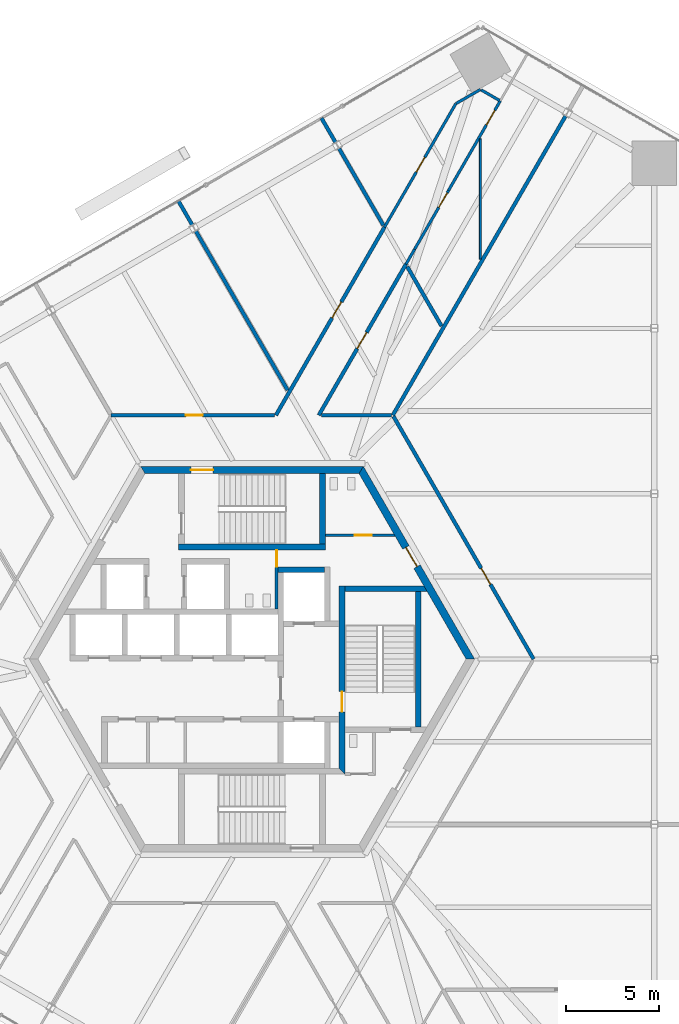
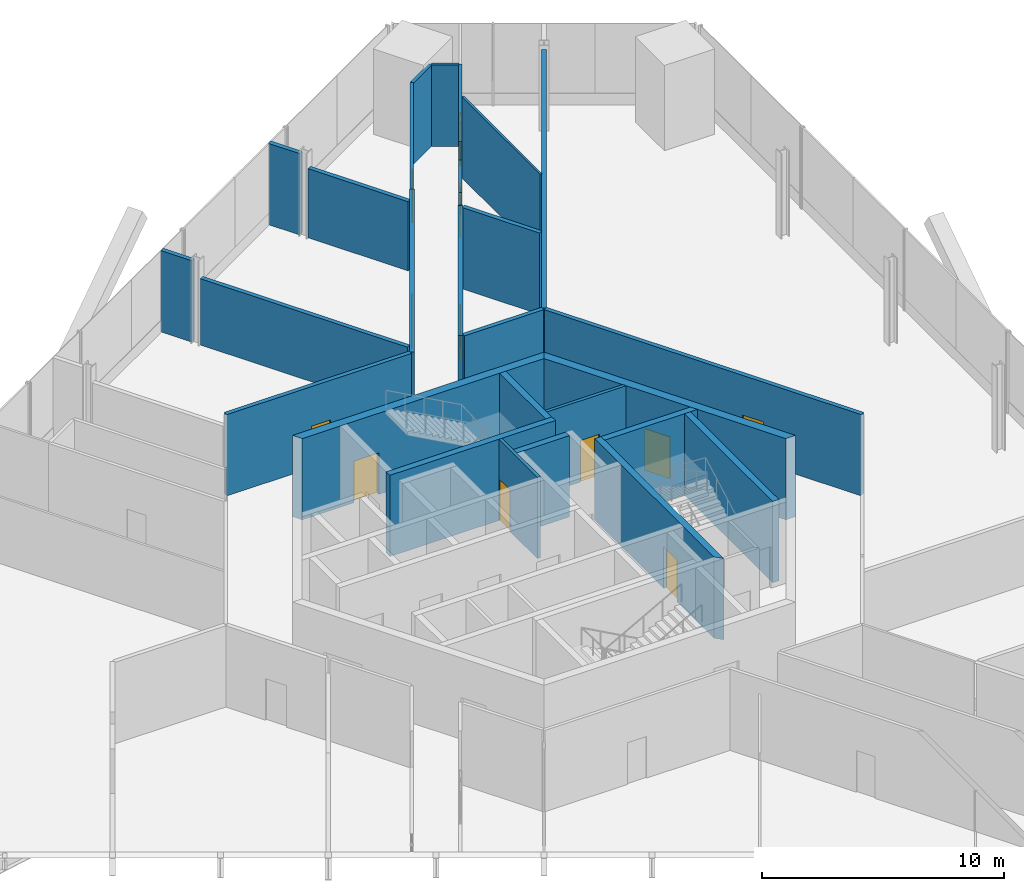
# One storey, part 13 of 16: 28 walls, 12 doors, 12 openings.
"""IFC4 building model written with IfcOpenShell, lengths in metres."""

from ifc_helpers import new_model, si_unit, direction, frame, frame_2d, origin, place, context, subcontext, project, spatial, polyline, rectangle, outline, extrude, source, transform, mapped, material, layer, layer_set, type_object, element, fill, save


model = new_model("IFC4")

# Units and contexts
model_context = context("Model", 3, precision=1e-05, world=origin(), true_north=direction((0.0, 1.0)))
body_context = subcontext(model_context, "Body", "Model", "MODEL_VIEW")
ifc_project = project(units=[si_unit("LENGTHUNIT", "METRE"), si_unit("AREAUNIT", "SQUARE_METRE"), si_unit("VOLUMEUNIT", "CUBIC_METRE"), si_unit("PLANEANGLEUNIT", "RADIAN"), si_unit("MASSUNIT", "GRAM", prefix="KILO")], contexts=[model_context])

# Site, building, storey
site_placement = place(None, origin())
site = spatial("IfcSite", under=ifc_project, at=site_placement, CompositionType="ELEMENT")
building_placement = place(site_placement, origin())
building = spatial("IfcBuilding", under=site, at=building_placement, Name="Triune Harvest Tower", CompositionType="ELEMENT")
storey_placement = place(building_placement, frame((0.0, 0.0, 37.5)))
storey = spatial("IfcBuildingStorey", under=building, at=storey_placement, Name="L08", CompositionType="ELEMENT", Elevation=37.5)

# Wall
ifc_material_1 = material(Name="Gypsum board on steel studs", Category="steel")
ifc_layer_1 = layer(ifc_material_1, 0.14990234375)
ifc_layer_set_1 = layer_set([ifc_layer_1], Name="Gypsum board on steel studs")
wall_type_1 = type_object("IfcWallType", Name="Fire Partition 150 mm", PredefinedType="PARTITIONING", material=ifc_layer_set_1)
wall_1_placement = place(storey_placement, frame((8.29541015625, 21.27783203125, 0.0), z_axis=(0.0, 0.0, 1.0), x_axis=(0.500002371706, 0.866024034475, 0.0)))
element("IfcWall", 1, at=wall_1_placement, inside=storey, type_object=wall_type_1, Name="Partition L08 052", PredefinedType="PARTITIONING", context=body_context, shape_type="SweptSolid", body=[
    extrude(rectangle(XDim=0.93115234375, YDim=0.14990234375, at=frame_2d((0.465576171875, 0.0))), origin(), (0.0, 0.0, 1.0), 4.10009765625),
])

# Wall, opening, door
wall_2_placement = place(storey_placement, frame((8.760986328125, 22.084228515625, 0.0), z_axis=(0.0, 0.0, 1.0), x_axis=(0.499985736139, 0.866033638872, 0.0)))
wall_2 = element("IfcWall", 2, at=wall_2_placement, inside=storey, type_object=wall_type_1, Name="Partition L08 052a", PredefinedType="PARTITIONING", context=body_context, shape_type="SweptSolid", body=[
    extrude(rectangle(XDim=3.66552734375, YDim=0.14990234375, at=frame_2d((1.832763671875, 0.0))), origin(), (0.0, 0.0, 1.0), 3.15771484375),
])
opening_1_placement = place(wall_2_placement, frame((2.615478515625, 0.0, 0.0)))
opening_1 = element("IfcOpeningElement", 3, at=opening_1_placement, cuts=wall_2, Name="Opening L08-006", PredefinedType="OPENING", context=body_context, shape_type="SweptSolid", body=[
    extrude(rectangle(XDim=0.89990234375, YDim=2.10009765625, at=frame_2d((0.449951171875, 1.050048828125))), frame((0.0, 0.0849609375, 0.0), z_axis=(0.0, -1.0, 0.0), x_axis=(1.0, 0.0, 0.0)), (0.0, 0.0, 1.0), 0.169921875),
])
ifc_material_2 = material(Name="Timber and steel door set", Category="steel")
door_type_1 = type_object("IfcDoorType", Name="Single leaf door FD30 right hand 900 x 2100", OperationType="SINGLE_SWING_RIGHT", PredefinedType="DOOR", material=ifc_material_2)
door_1_placement = place(opening_1_placement, origin())
door_1 = element("IfcDoor", 4, at=door_1_placement, inside=storey, type_object=door_type_1, Name="Door L08-006 Packing Room 08.06", OperationType="SINGLE_SWING_RIGHT", OverallHeight=2.10009765625, OverallWidth=0.89990234375, PredefinedType="DOOR", context=body_context, shape_type="SweptSolid", body=[
    extrude(rectangle(XDim=0.89990234375, YDim=2.10009765625, at=frame_2d((0.449951171875, 1.050048828125))), frame((0.0, 0.02490234375, 0.0), z_axis=(0.0, -1.0, 0.0), x_axis=(1.0, 0.0, 0.0)), (0.0, 0.0, 1.0), 0.050048828125),
])
fill(opening_1, door_1)

wall_3_placement = place(storey_placement, frame((10.59375, 25.2587890625, 0.0), z_axis=(0.0, 0.0, 1.0), x_axis=(0.500002112793, 0.866024183959, 0.0)))
wall_3 = element("IfcWall", 5, at=wall_3_placement, inside=storey, type_object=wall_type_1, Name="Partition L08 052b", PredefinedType="PARTITIONING", context=body_context, shape_type="SweptSolid", body=[
    extrude(rectangle(XDim=5.56689453125, YDim=0.14990234375, at=frame_2d((2.783447265625, 0.0))), origin(), (0.0, 0.0, 1.0), 4.10009765625),
])
opening_2_placement = place(wall_3_placement, frame((4.080810546875, 0.0, 0.0)))
opening_2 = element("IfcOpeningElement", 6, at=opening_2_placement, cuts=wall_3, Name="Opening L08-004", PredefinedType="OPENING", context=body_context, shape_type="SweptSolid", body=[
    extrude(rectangle(XDim=0.89990234375, YDim=2.10009765625, at=frame_2d((0.449951171875, 1.050048828125))), frame((0.0, 0.0849609375, 0.0), z_axis=(0.0, -1.0, 0.0), x_axis=(1.0, 0.0, 0.0)), (0.0, 0.0, 1.0), 0.169921875),
])
ifc_material_3 = material(Name="Timber and steel door set", Category="steel")
door_type_2 = type_object("IfcDoorType", Name="Single leaf door FD30 left hand 900 x 2100", OperationType="SINGLE_SWING_LEFT", PredefinedType="DOOR", material=ifc_material_3)
door_2_placement = place(opening_2_placement, origin())
door_2 = element("IfcDoor", 7, at=door_2_placement, inside=storey, type_object=door_type_2, Name="Door L08-004 Packing Room 08.04", OperationType="SINGLE_SWING_LEFT", OverallHeight=2.10009765625, OverallWidth=0.89990234375, PredefinedType="DOOR", context=body_context, shape_type="SweptSolid", body=[
    extrude(rectangle(XDim=0.89990234375, YDim=2.10009765625, at=frame_2d((0.449951171875, 1.050048828125))), frame((0.0, 0.02490234375, 0.0), z_axis=(0.0, -1.0, 0.0), x_axis=(1.0, 0.0, 0.0)), (0.0, 0.0, 1.0), 0.050048828125),
])
fill(opening_2, door_2)

wall_4_placement = place(storey_placement, frame((7.140625, 23.278076171875, 0.0), z_axis=(0.0, 0.0, 1.0), x_axis=(0.500012266612, 0.866018321537, 0.0)))
wall_4 = element("IfcWall", 8, at=wall_4_placement, inside=storey, type_object=wall_type_1, Name="Partition L08 056", PredefinedType="PARTITIONING", context=body_context, shape_type="SweptSolid", body=[
    extrude(rectangle(XDim=7.680908203125, YDim=0.14990234375, at=frame_2d((3.84033203125, 0.0))), origin(), (0.0, 0.0, 1.0), 4.10009765625),
])
opening_3_placement = place(wall_4_placement, frame((3.43310546875, 0.0, 0.0)))
opening_3 = element("IfcOpeningElement", 9, at=opening_3_placement, cuts=wall_4, Name="Opening L08-005", PredefinedType="OPENING", context=body_context, shape_type="SweptSolid", body=[
    extrude(rectangle(XDim=0.89990234375, YDim=2.10009765625, at=frame_2d((0.449951171875, 1.050048828125))), frame((0.0, 0.0849609375, 0.0), z_axis=(0.0, -1.0, 0.0), x_axis=(1.0, 0.0, 0.0)), (0.0, 0.0, 1.0), 0.169921875),
])
door_3_placement = place(opening_3_placement, origin())
door_3 = element("IfcDoor", 10, at=door_3_placement, inside=storey, type_object=door_type_1, Name="Door L08-005 Packing Room 08.05", OperationType="SINGLE_SWING_RIGHT", OverallHeight=2.10009765625, OverallWidth=0.89990234375, PredefinedType="DOOR", context=body_context, shape_type="SweptSolid", body=[
    extrude(rectangle(XDim=0.89990234375, YDim=2.10009765625, at=frame_2d((0.449951171875, 1.050048828125))), frame((0.0, 0.02490234375, 0.0), z_axis=(0.0, -1.0, 0.0), x_axis=(1.0, 0.0, 0.0)), (0.0, 0.0, 1.0), 0.050048828125),
])
fill(opening_3, door_3)

ifc_material_4 = material(Name="Gypsum board on steel studs", Category="steel")
ifc_layer_2 = layer(ifc_material_4, 0.199951171875)
ifc_layer_set_2 = layer_set([ifc_layer_2], Name="Gypsum board on steel studs")
wall_type_2 = type_object("IfcWallType", Name="Fire Wall 200 mm", PredefinedType="PARTITIONING", material=ifc_layer_set_2)
wall_5_placement = place(storey_placement, frame((7.622802734375, 13.081787109375, 0.0), z_axis=(0.0, 0.0, 1.0), x_axis=(0.499985944963, -0.866033518312, 0.0)))
wall_5 = element("IfcWall", 11, at=wall_5_placement, inside=storey, type_object=wall_type_2, Name="Partition L08 019", PredefinedType="PARTITIONING", context=body_context, shape_type="SweptSolid", body=[
    extrude(rectangle(XDim=15.10546875, YDim=0.199951171875, at=frame_2d((7.552734375, 0.0))), origin(), (0.0, 0.0, 1.0), 4.10009765625),
])
opening_4_placement = place(wall_5_placement, frame((9.455322265625, 0.0, 0.0)))
opening_4 = element("IfcOpeningElement", 12, at=opening_4_placement, cuts=wall_5, Name="Opening L08-003", PredefinedType="OPENING", context=body_context, shape_type="SweptSolid", body=[
    extrude(rectangle(XDim=1.0, YDim=2.10009765625, at=frame_2d((0.5, 1.050048828125))), frame((0.0, 0.10986328125, 0.0), z_axis=(0.0, -1.0, 0.0), x_axis=(1.0, 0.0, 0.0)), (0.0, 0.0, 1.0), 0.219970703125),
])
ifc_material_5 = material(Name="Timber and steel door set", Category="steel")
door_type_3 = type_object("IfcDoorType", Name="Wide single leaf door FD60 right hand 1000 x 2100", OperationType="SINGLE_SWING_RIGHT", PredefinedType="DOOR", material=ifc_material_5)
door_4_placement = place(opening_4_placement, origin())
door_4 = element("IfcDoor", 13, at=door_4_placement, inside=storey, type_object=door_type_3, Name="Door L08-003 Strawberry Growing Room 08.03", OperationType="SINGLE_SWING_RIGHT", OverallHeight=2.10009765625, OverallWidth=1.0, PredefinedType="DOOR", context=body_context, shape_type="SweptSolid", body=[
    extrude(rectangle(XDim=1.0, YDim=2.10009765625, at=frame_2d((0.5, 1.050048828125))), frame((0.0, 0.02490234375, 0.0), z_axis=(0.0, -1.0, 0.0), x_axis=(1.0, 0.0, 0.0)), (0.0, 0.0, 1.0), 0.050048828125),
])
fill(opening_4, door_4)

# Walls
wall_6_placement = place(storey_placement, frame((3.74658203125, 29.150390625, 0.0), z_axis=(0.0, 0.0, 1.0), x_axis=(0.500027927039, -0.866009279501, 0.0)))
element("IfcWall", 14, at=wall_6_placement, inside=storey, type_object=wall_type_2, Name="Partition L08 020", PredefinedType="PARTITIONING", context=body_context, shape_type="SweptSolid", body=[
    extrude(rectangle(XDim=1.4990234375, YDim=0.199951171875, at=frame_2d((0.74951171875, 0.0))), origin(), (0.0, 0.0, 1.0), 4.10009765625),
])
wall_7_placement = place(storey_placement, frame((8.36865234375, 21.14501953125, 0.0), z_axis=(0.0, 0.0, 1.0), x_axis=(0.499982117899, -0.866035727774, 0.0)))
element("IfcWall", 15, at=wall_7_placement, inside=storey, type_object=wall_type_2, Name="Partition L08 022", PredefinedType="PARTITIONING", context=body_context, shape_type="SweptSolid", body=[
    extrude(rectangle(XDim=3.689697265625, YDim=0.199951171875, at=frame_2d((1.8447265625, 0.0))), origin(), (0.0, 0.0, 1.0), 4.10009765625),
])

# Wall, opening, door
wall_8_placement = place(storey_placement, frame((-7.587646484375, 13.142333984375, 0.0), z_axis=(0.0, 0.0, 1.0), x_axis=(1.0, 0.0, 0.0)))
wall_8 = element("IfcWall", 16, at=wall_8_placement, inside=storey, type_object=wall_type_2, Name="Partition L08 033", PredefinedType="PARTITIONING", context=body_context, shape_type="SweptSolid", body=[
    extrude(rectangle(XDim=8.806640625, YDim=0.199951171875, at=frame_2d((4.4033203125, 0.0))), origin(), (0.0, 0.0, 1.0), 4.10009765625),
])
opening_5_placement = place(wall_8_placement, frame((4.026611328125, 0.0, 0.0)))
opening_5 = element("IfcOpeningElement", 17, at=opening_5_placement, cuts=wall_8, Name="Opening L08-009", PredefinedType="OPENING", context=body_context, shape_type="SweptSolid", body=[
    extrude(rectangle(XDim=0.89990234375, YDim=2.10009765625, at=frame_2d((0.449951171875, 1.050048828125))), frame((0.0, 0.10986328125, 0.0), z_axis=(0.0, -1.0, 0.0), x_axis=(1.0, 0.0, 0.0)), (0.0, 0.0, 1.0), 0.219970703125),
])
ifc_material_6 = material(Name="Timber and steel door set", Category="steel")
door_type_4 = type_object("IfcDoorType", Name="Single leaf door FD60 right hand 900 x 2100", OperationType="SINGLE_SWING_RIGHT", PredefinedType="DOOR", material=ifc_material_6)
door_5_placement = place(opening_5_placement, origin())
door_5 = element("IfcDoor", 18, at=door_5_placement, inside=storey, type_object=door_type_4, Name="Door L08-009 Chiller Room 08.09", OperationType="SINGLE_SWING_RIGHT", OverallHeight=2.10009765625, OverallWidth=0.89990234375, PredefinedType="DOOR", context=body_context, shape_type="SweptSolid", body=[
    extrude(rectangle(XDim=0.89990234375, YDim=2.10009765625, at=frame_2d((0.449951171875, 1.050048828125))), frame((0.0, 0.02490234375, 0.0), z_axis=(0.0, -1.0, 0.0), x_axis=(1.0, 0.0, 0.0)), (0.0, 0.0, 1.0), 0.050048828125),
])
fill(opening_5, door_5)

# Walls
wall_9_placement = place(storey_placement, frame((3.748291015625, 13.142333984375, 0.0), z_axis=(0.0, 0.0, 1.0), x_axis=(1.0, 0.0, 0.0)))
element("IfcWall", 19, at=wall_9_placement, inside=storey, type_object=wall_type_2, Name="Partition L08 034", PredefinedType="PARTITIONING", context=body_context, shape_type="SweptSolid", body=[
    extrude(rectangle(XDim=3.769287109375, YDim=0.199951171875, at=frame_2d((1.884765625, 0.0))), origin(), (0.0, 0.0, 1.0), 4.10009765625),
])
wall_10_placement = place(storey_placement, frame((7.587646484375, 13.142333984375, 0.0), z_axis=(0.0, 0.0, 1.0), x_axis=(0.500005822324, 0.866022042238, 0.0)))
element("IfcWall", 20, at=wall_10_placement, inside=storey, type_object=wall_type_2, Name="Partition L08 047", PredefinedType="PARTITIONING", context=body_context, shape_type="SweptSolid", body=[
    extrude(rectangle(XDim=18.619873046875, YDim=0.199951171875, at=frame_2d((9.31005859375, 0.0))), origin(), (0.0, 0.0, 1.0), 4.10009765625),
])

# Wall, opening, door
wall_11_placement = place(storey_placement, frame((3.598388671875, 13.14208984375, 0.0), z_axis=(0.0, 0.0, 1.0), x_axis=(0.499987908195, 0.866032384879, 0.0)))
wall_11 = element("IfcWall", 21, at=wall_11_placement, inside=storey, type_object=wall_type_2, Name="Partition L08 051", PredefinedType="PARTITIONING", context=body_context, shape_type="SweptSolid", body=[
    extrude(rectangle(XDim=9.394287109375, YDim=0.199951171875, at=frame_2d((4.697265625, 0.0))), origin(), (0.0, 0.0, 1.0), 4.10009765625),
])
opening_6_placement = place(wall_11_placement, frame((4.150146484375, 0.0, 0.0)))
opening_6 = element("IfcOpeningElement", 22, at=opening_6_placement, cuts=wall_11, Name="Opening L08-008", PredefinedType="OPENING", context=body_context, shape_type="SweptSolid", body=[
    extrude(rectangle(XDim=1.0, YDim=2.10009765625, at=frame_2d((0.5, 1.050048828125))), frame((0.0, 0.10986328125, 0.0), z_axis=(0.0, -1.0, 0.0), x_axis=(1.0, 0.0, 0.0)), (0.0, 0.0, 1.0), 0.219970703125),
])
door_6_placement = place(opening_6_placement, origin())
door_6 = element("IfcDoor", 23, at=door_6_placement, inside=storey, type_object=door_type_3, Name="Door L08-008 Strawberry Growing Room 08.08", OperationType="SINGLE_SWING_RIGHT", OverallHeight=2.10009765625, OverallWidth=1.0, PredefinedType="DOOR", context=body_context, shape_type="SweptSolid", body=[
    extrude(rectangle(XDim=1.0, YDim=2.10009765625, at=frame_2d((0.5, 1.050048828125))), frame((0.0, 0.02490234375, 0.0), z_axis=(0.0, -1.0, 0.0), x_axis=(1.0, 0.0, 0.0)), (0.0, 0.0, 1.0), 0.050048828125),
])
fill(opening_6, door_6)

wall_12_placement = place(storey_placement, frame((1.288818359375, 13.142333984375, 0.0), z_axis=(0.0, 0.0, 1.0), x_axis=(0.499995716753, 0.866027876704, 0.0)))
wall_12 = element("IfcWall", 24, at=wall_12_placement, inside=storey, type_object=wall_type_2, Name="Partition L08 055", PredefinedType="PARTITIONING", context=body_context, shape_type="SweptSolid", body=[
    extrude(rectangle(XDim=11.70361328125, YDim=0.199951171875, at=frame_2d((5.851806640625, 0.0))), origin(), (0.0, 0.0, 1.0), 4.10009765625),
])
opening_7_placement = place(wall_12_placement, frame((6.05029296875, 0.0, 0.0)))
opening_7 = element("IfcOpeningElement", 25, at=opening_7_placement, cuts=wall_12, Name="Opening L08-007", PredefinedType="OPENING", context=body_context, shape_type="SweptSolid", body=[
    extrude(rectangle(XDim=1.0, YDim=2.10009765625, at=frame_2d((0.5, 1.050048828125))), frame((0.0, 0.10986328125, 0.0), z_axis=(0.0, -1.0, 0.0), x_axis=(1.0, 0.0, 0.0)), (0.0, 0.0, 1.0), 0.219970703125),
])
door_7_placement = place(opening_7_placement, origin())
door_7 = element("IfcDoor", 26, at=door_7_placement, inside=storey, type_object=door_type_3, Name="Door L08-007 Strawberry Growing Room 08.07", OperationType="SINGLE_SWING_RIGHT", OverallHeight=2.10009765625, OverallWidth=1.0, PredefinedType="DOOR", context=body_context, shape_type="SweptSolid", body=[
    extrude(rectangle(XDim=1.0, YDim=2.10009765625, at=frame_2d((0.5, 1.050048828125))), frame((0.0, 0.02490234375, 0.0), z_axis=(0.0, -1.0, 0.0), x_axis=(1.0, 0.0, 0.0)), (0.0, 0.0, 1.0), 0.050048828125),
])
fill(opening_7, door_7)

# Wall
ifc_material_7 = material(Name="Gypsum board on steel studs", Category="steel")
ifc_layer_3 = layer(ifc_material_7, 0.10009765625)
ifc_layer_set_3 = layer_set([ifc_layer_3], Name="Gypsum board on steel studs")
wall_type_3 = type_object("IfcWallType", Name="Partition 100 mm", PredefinedType="PARTITIONING", material=ifc_layer_set_3)
wall_13_placement = place(storey_placement, frame((12.30908203125, 21.56005859375, 0.0), z_axis=(0.0, 0.0, 1.0), x_axis=(0.0, 1.0, 0.0)))
element("IfcWall", 27, at=wall_13_placement, inside=storey, type_object=wall_type_3, Name="Partition L08 064", PredefinedType="PARTITIONING", context=body_context, shape_type="SweptSolid", body=[
    extrude(rectangle(XDim=6.479736328125, YDim=0.10009765625, at=frame_2d((3.23974609375, 0.0))), origin(), (0.0, 0.0, 1.0), 4.10009765625),
])

# Wall, opening, door
ifc_material_8 = material(Name="Concrete 70 MPa", Category="concrete")
ifc_layer_4 = layer(ifc_material_8, 0.39990234375)
ifc_layer_set_4 = layer_set([ifc_layer_4], Name="Concrete 70 MPa")
wall_type_4 = type_object("IfcWallType", Name="Core wall 400", PredefinedType="SHEAR", material=ifc_layer_set_4)
shared_shape_1 = source(origin(), body_context, "Body", "SweptSolid", [
    extrude(outline(polyline([(-0.115478515625, -0.199951171875), (11.884521484375, -0.199951171875), (11.653564453125, 0.199951171875), (0.115478515625, 0.199951171875), (-0.115478515625, -0.199951171875)])), origin(), (0.0, 0.0, 1.0), 4.10009765625),
])
wall_14_placement = place(storey_placement, frame((11.76904296875, 0.0, 0.0), z_axis=(0.0, 0.0, 1.0), x_axis=(-0.499996592174, 0.866027371285, 0.0)))
wall_14 = element("IfcWall", 28, at=wall_14_placement, inside=storey, type_object=wall_type_4, Name="Hexagon 0 wall", PredefinedType="SHEAR", context=body_context, shape_type="MappedRepresentation", body=[
    mapped(shared_shape_1, transform((0.0, 0.0, 0.0), scale=1.0)),
])
opening_8_placement = place(wall_14_placement, frame((5.75048828125, 0.0, 0.0)))
opening_8 = element("IfcOpeningElement", 29, at=opening_8_placement, cuts=wall_14, Name="Opening CD-WCP", PredefinedType="OPENING", context=body_context, shape_type="SweptSolid", body=[
    extrude(rectangle(XDim=1.199951171875, YDim=2.10009765625, at=frame_2d((0.60009765625, 1.050048828125))), frame((0.0, 0.2099609375, 0.0), z_axis=(0.0, -1.0, 0.0), x_axis=(1.0, 0.0, 0.0)), (0.0, 0.0, 1.0), 0.419921875),
])
ifc_material_9 = material(Name="Steel S235", Category="steel")
door_type_5 = type_object("IfcDoorType", Name="Lobby door 1200 FD120", OperationType="SINGLE_SWING_LEFT", PredefinedType="DOOR", material=ifc_material_9)
door_8_placement = place(opening_8_placement, frame((1.199951171875, 0.0, 0.0), z_axis=(0.0, 0.0, 1.0), x_axis=(-1.0, 0.0, 0.0)))
door_8 = element("IfcDoor", 30, at=door_8_placement, inside=storey, type_object=door_type_5, Name="Door CD-WCP", OperationType="SINGLE_SWING_RIGHT", OverallHeight=2.10009765625, OverallWidth=1.199951171875, PredefinedType="DOOR", context=body_context, shape_type="SweptSolid", body=[
    extrude(rectangle(XDim=1.199951171875, YDim=2.10009765625, at=frame_2d((0.60009765625, 1.050048828125))), frame((0.0, 0.02490234375, 0.0), z_axis=(0.0, -1.0, 0.0), x_axis=(1.0, 0.0, 0.0)), (0.0, 0.0, 1.0), 0.050048828125),
])
fill(opening_8, door_8)

wall_15_placement = place(storey_placement, frame((5.884521484375, 10.1923828125, 0.0), z_axis=(0.0, 0.0, 1.0), x_axis=(-1.0, 0.0, 0.0)))
wall_15 = element("IfcWall", 31, at=wall_15_placement, inside=storey, type_object=wall_type_4, Name="Hexagon 1 wall", PredefinedType="SHEAR", context=body_context, shape_type="MappedRepresentation", body=[
    mapped(shared_shape_1, transform((0.0, 0.0, 0.0), scale=1.0)),
])
opening_9_placement = place(wall_15_placement, frame((7.984619140625, 0.0, 0.0)))
opening_9 = element("IfcOpeningElement", 32, at=opening_9_placement, cuts=wall_15, Name="Opening CD-S1P", PredefinedType="OPENING", context=body_context, shape_type="SweptSolid", body=[
    extrude(rectangle(XDim=1.199951171875, YDim=2.10009765625, at=frame_2d((0.60009765625, 1.050048828125))), frame((0.0, 0.2099609375, 0.0), z_axis=(0.0, -1.0, 0.0), x_axis=(1.0, 0.0, 0.0)), (0.0, 0.0, 1.0), 0.419921875),
])
ifc_material_10 = material(Name="Steel S235", Category="steel")
door_type_6 = type_object("IfcDoorType", Name="Stair door 1200 FD120", OperationType="SINGLE_SWING_LEFT", PredefinedType="DOOR", material=ifc_material_10)
door_9_placement = place(opening_9_placement, frame((1.199951171875, 0.0, 0.0), z_axis=(0.0, 0.0, 1.0), x_axis=(-1.0, 0.0, 0.0)))
door_9 = element("IfcDoor", 33, at=door_9_placement, inside=storey, type_object=door_type_6, Name="Door CD-S1P", OperationType="SINGLE_SWING_RIGHT", OverallHeight=2.10009765625, OverallWidth=1.199951171875, PredefinedType="DOOR", context=body_context, shape_type="SweptSolid", body=[
    extrude(rectangle(XDim=1.199951171875, YDim=2.10009765625, at=frame_2d((0.60009765625, 1.050048828125))), frame((0.0, 0.02490234375, 0.0), z_axis=(0.0, -1.0, 0.0), x_axis=(1.0, 0.0, 0.0)), (0.0, 0.0, 1.0), 0.050048828125),
])
fill(opening_9, door_9)

# Wall
ifc_material_11 = material(Name="Concrete 70 MPa", Category="concrete")
ifc_layer_5 = layer(ifc_material_11, 0.300048828125)
ifc_layer_set_5 = layer_set([ifc_layer_5], Name="Concrete 70 MPa")
wall_type_5 = type_object("IfcWallType", Name="Core wall 300", PredefinedType="SHEAR", material=ifc_layer_set_5)
shared_shape_2 = source(origin(), body_context, "Body", "SweptSolid", [
    extrude(rectangle(XDim=2.5, YDim=0.300048828125, at=frame_2d((1.25, 0.0))), origin(), (0.0, 0.0, 1.0), 4.10009765625),
])
wall_16_placement = place(storey_placement, frame((1.39990234375, 4.81005859375, 0.0), z_axis=(0.0, 0.0, 1.0), x_axis=(1.0, 0.0, 0.0)))
element("IfcWall", 34, at=wall_16_placement, inside=storey, type_object=wall_type_5, Name="Ff1 back wall", PredefinedType="SHEAR", context=body_context, shape_type="MappedRepresentation", body=[
    mapped(shared_shape_2, transform((0.0, 0.0, 0.0), scale=1.0)),
])

# Wall, opening, door
shared_shape_3 = source(origin(), body_context, "Body", "SweptSolid", [
    extrude(outline(polyline([(-0.14990234375, -0.14990234375), (9.989990234375, -0.14990234375), (9.989990234375, 0.14990234375), (0.14990234375, 0.14990234375), (-0.14990234375, -0.14990234375)])), origin(), (0.0, 0.0, 1.0), 4.10009765625),
])
wall_17_placement = place(storey_placement, frame((4.85009765625, -6.0400390625, 0.0), z_axis=(0.0, 0.0, 1.0), x_axis=(0.0, 1.0, 0.0)))
wall_17 = element("IfcWall", 35, at=wall_17_placement, inside=storey, type_object=wall_type_5, Name="Stair e west wall", PredefinedType="SHEAR", context=body_context, shape_type="MappedRepresentation", body=[
    mapped(shared_shape_3, transform((0.0, 0.0, 0.0), scale=1.0)),
])
opening_10_placement = place(wall_17_placement, frame((3.18994140625, 0.0, 0.0)))
opening_10 = element("IfcOpeningElement", 36, at=opening_10_placement, cuts=wall_17, Name="Opening CD-S3L", PredefinedType="OPENING", context=body_context, shape_type="SweptSolid", body=[
    extrude(rectangle(XDim=1.10009765625, YDim=2.10009765625, at=frame_2d((0.550048828125, 1.050048828125))), frame((0.0, 0.16015625, 0.0), z_axis=(0.0, -1.0, 0.0), x_axis=(1.0, 0.0, 0.0)), (0.0, 0.0, 1.0), 0.320068359375),
])
ifc_material_12 = material(Name="Steel S235", Category="steel")
door_type_7 = type_object("IfcDoorType", Name="Stair door 1100 FD120", OperationType="SINGLE_SWING_LEFT", PredefinedType="DOOR", material=ifc_material_12)
door_10_placement = place(opening_10_placement, frame((1.10009765625, 0.0, 0.0), z_axis=(0.0, 0.0, 1.0), x_axis=(-1.0, 0.0, 0.0)))
door_10 = element("IfcDoor", 37, at=door_10_placement, inside=storey, type_object=door_type_7, Name="Door CD-S3L", OperationType="SINGLE_SWING_RIGHT", OverallHeight=2.10009765625, OverallWidth=1.10009765625, PredefinedType="DOOR", context=body_context, shape_type="SweptSolid", body=[
    extrude(rectangle(XDim=1.10009765625, YDim=2.10009765625, at=frame_2d((0.550048828125, 1.050048828125))), frame((0.0, 0.02490234375, 0.0), z_axis=(0.0, -1.0, 0.0), x_axis=(1.0, 0.0, 0.0)), (0.0, 0.0, 1.0), 0.050048828125),
])
fill(opening_10, door_10)

# Walls
shared_shape_4 = source(origin(), body_context, "Body", "SweptSolid", [
    extrude(outline(polyline([(0.0, -0.14990234375), (0.0, 0.14990234375), (4.260009765625, 0.14990234375), (4.43310546875, -0.14990234375), (0.0, -0.14990234375)])), origin(), (0.0, 0.0, 1.0), 4.10009765625),
])
wall_18_placement = place(storey_placement, frame((5.0, 3.800048828125, 0.0), z_axis=(0.0, 0.0, 1.0), x_axis=(1.0, 0.0, 0.0)))
element("IfcWall", 38, at=wall_18_placement, inside=storey, type_object=wall_type_5, Name="Stair e north wall", PredefinedType="SHEAR", context=body_context, shape_type="MappedRepresentation", body=[
    mapped(shared_shape_4, transform((0.0, 0.0, 0.0), scale=1.0)),
])
shared_shape_5 = source(origin(), body_context, "Body", "SweptSolid", [
    extrude(rectangle(XDim=7.2998046875, YDim=0.300048828125, at=frame_2d((3.64990234375, 0.0))), origin(), (0.0, 0.0, 1.0), 4.10009765625),
])
wall_19_placement = place(storey_placement, frame((8.949951171875, -3.64990234375, 0.0), z_axis=(0.0, 0.0, 1.0), x_axis=(0.0, 1.0, 0.0)))
element("IfcWall", 39, at=wall_19_placement, inside=storey, type_object=wall_type_5, Name="Stair e east wall", PredefinedType="SHEAR", context=body_context, shape_type="MappedRepresentation", body=[
    mapped(shared_shape_5, transform((0.0, 0.0, 0.0), scale=1.0)),
])
shared_shape_6 = source(origin(), body_context, "Body", "SweptSolid", [
    extrude(rectangle(XDim=7.89990234375, YDim=0.300048828125, at=frame_2d((3.949951171875, 0.0))), origin(), (0.0, 0.0, 1.0), 4.10009765625),
])
wall_20_placement = place(storey_placement, frame((-3.949951171875, 6.0400390625, 0.0), z_axis=(0.0, 0.0, 1.0), x_axis=(1.0, 0.0, 0.0)))
element("IfcWall", 40, at=wall_20_placement, inside=storey, type_object=wall_type_5, Name="Stair n south wall", PredefinedType="SHEAR", context=body_context, shape_type="MappedRepresentation", body=[
    mapped(shared_shape_6, transform((0.0, 0.0, 0.0), scale=1.0)),
])
shared_shape_7 = source(origin(), body_context, "Body", "SweptSolid", [
    extrude(outline(polyline([(0.0, -0.14990234375), (0.0, 0.14990234375), (3.80419921875, 0.14990234375), (3.80419921875, -0.14990234375), (0.0, -0.14990234375)])), origin(), (0.0, 0.0, 1.0), 4.10009765625),
])
wall_21_placement = place(storey_placement, frame((3.800048828125, 6.18994140625, 0.0), z_axis=(0.0, 0.0, 1.0), x_axis=(0.0, 1.0, 0.0)))
element("IfcWall", 41, at=wall_21_placement, inside=storey, type_object=wall_type_5, Name="Stair n east wall", PredefinedType="SHEAR", context=body_context, shape_type="MappedRepresentation", body=[
    mapped(shared_shape_7, transform((0.0, 0.0, 0.0), scale=1.0)),
])

# Wall, opening, door
ifc_material_13 = material(Name="Concrete masonry unit", Category="masonry")
ifc_layer_6 = layer(ifc_material_13, 0.14990234375)
ifc_layer_set_6 = layer_set([ifc_layer_6], Name="Concrete masonry unit")
wall_type_6 = type_object("IfcWallType", Name="Block partition 150 unrated", PredefinedType="PARTITIONING", material=ifc_layer_set_6)
shared_shape_8 = source(origin(), body_context, "Body", "SweptSolid", [
    extrude(rectangle(XDim=3.179931640625, YDim=0.14990234375, at=frame_2d((1.58984375, 0.0))), origin(), (0.0, 0.0, 1.0), 4.10009765625),
])
wall_22_placement = place(storey_placement, frame((1.324951171875, 2.7099609375, 0.0), z_axis=(0.0, 0.0, 1.0), x_axis=(0.0, 1.0, 0.0)))
wall_22 = element("IfcWall", 42, at=wall_22_placement, inside=storey, type_object=wall_type_6, Name="Wc men east wall", PredefinedType="PARTITIONING", context=body_context, shape_type="MappedRepresentation", body=[
    mapped(shared_shape_8, transform((0.0, 0.0, 0.0), scale=1.0)),
])
opening_11_placement = place(wall_22_placement, frame((2.264892578125, 0.0, 0.0)))
opening_11 = element("IfcOpeningElement", 43, at=opening_11_placement, cuts=wall_22, Name="Opening CD-WM", PredefinedType="OPENING", context=body_context, shape_type="SweptSolid", body=[
    extrude(rectangle(XDim=0.89990234375, YDim=2.10009765625, at=frame_2d((0.449951171875, 1.050048828125))), frame((0.0, 0.0849609375, 0.0), z_axis=(0.0, -1.0, 0.0), x_axis=(1.0, 0.0, 0.0)), (0.0, 0.0, 1.0), 0.169921875),
])
ifc_material_14 = material(Name="Timber C24", Category="wood")
door_type_8 = type_object("IfcDoorType", Name="WC door 900", OperationType="SINGLE_SWING_LEFT", PredefinedType="DOOR", material=ifc_material_14)
door_11_placement = place(opening_11_placement, origin())
door_11 = element("IfcDoor", 44, at=door_11_placement, inside=storey, type_object=door_type_8, Name="Door CD-WM", OperationType="SINGLE_SWING_LEFT", OverallHeight=2.10009765625, OverallWidth=0.89990234375, PredefinedType="DOOR", context=body_context, shape_type="SweptSolid", body=[
    extrude(rectangle(XDim=0.89990234375, YDim=2.10009765625, at=frame_2d((0.449951171875, 1.050048828125))), frame((0.0, 0.02490234375, 0.0), z_axis=(0.0, -1.0, 0.0), x_axis=(1.0, 0.0, 0.0)), (0.0, 0.0, 1.0), 0.050048828125),
])
fill(opening_11, door_11)

shared_shape_9 = source(origin(), body_context, "Body", "SweptSolid", [
    extrude(outline(polyline([(0.0, -0.074951171875), (0.0, 0.074951171875), (3.693359375, 0.074951171875), (3.77978515625, -0.074951171875), (0.0, -0.074951171875)])), origin(), (0.0, 0.0, 1.0), 4.10009765625),
])
wall_23_placement = place(storey_placement, frame((3.949951171875, 6.675048828125, 0.0), z_axis=(0.0, 0.0, 1.0), x_axis=(1.0, 0.0, 0.0)))
wall_23 = element("IfcWall", 45, at=wall_23_placement, inside=storey, type_object=wall_type_6, Name="Wc women south wall", PredefinedType="PARTITIONING", context=body_context, shape_type="MappedRepresentation", body=[
    mapped(shared_shape_9, transform((0.0, 0.0, 0.0), scale=1.0)),
])
opening_12_placement = place(wall_23_placement, frame((1.60009765625, 0.0, 0.0)))
opening_12 = element("IfcOpeningElement", 46, at=opening_12_placement, cuts=wall_23, Name="Opening CD-WW", PredefinedType="OPENING", context=body_context, shape_type="SweptSolid", body=[
    extrude(rectangle(XDim=0.89990234375, YDim=2.10009765625, at=frame_2d((0.449951171875, 1.050048828125))), frame((0.0, 0.0849609375, 0.0), z_axis=(0.0, -1.0, 0.0), x_axis=(1.0, 0.0, 0.0)), (0.0, 0.0, 1.0), 0.169921875),
])
door_12_placement = place(opening_12_placement, origin())
door_12 = element("IfcDoor", 47, at=door_12_placement, inside=storey, type_object=door_type_8, Name="Door CD-WW", OperationType="SINGLE_SWING_LEFT", OverallHeight=2.10009765625, OverallWidth=0.89990234375, PredefinedType="DOOR", context=body_context, shape_type="SweptSolid", body=[
    extrude(rectangle(XDim=0.89990234375, YDim=2.10009765625, at=frame_2d((0.449951171875, 1.050048828125))), frame((0.0, 0.02490234375, 0.0), z_axis=(0.0, -1.0, 0.0), x_axis=(1.0, 0.0, 0.0)), (0.0, 0.0, 1.0), 0.050048828125),
])
fill(opening_12, door_12)

# Walls
shared_shape_10 = source(origin(), body_context, "Body", "SweptSolid", [
    extrude(rectangle(XDim=1.498779296875, YDim=0.199951171875, at=frame_2d((0.74951171875, 0.0))), origin(), (0.0, 0.0, 1.0), 4.10009765625),
])
wall_24_placement = place(storey_placement, frame((-3.969482421875, 24.6953125, 0.0), z_axis=(0.0, 0.0, 1.0), x_axis=(0.499905760005, -0.866079806435, 0.0)))
element("IfcWall", 48, at=wall_24_placement, inside=storey, type_object=wall_type_2, Name="Partition L08 017", PredefinedType="PARTITIONING", context=body_context, shape_type="MappedRepresentation", body=[
    mapped(shared_shape_10, transform((0.0, 0.0, 0.0), scale=1.0)),
])
shared_shape_11 = source(origin(), body_context, "Body", "SweptSolid", [
    extrude(rectangle(XDim=9.893310546875, YDim=0.199951171875, at=frame_2d((4.94677734375, 0.0))), origin(), (0.0, 0.0, 1.0), 3.343017578125),
])
wall_25_placement = place(storey_placement, frame((-3.02685546875, 23.062744140625, 0.0), z_axis=(0.0, 0.0, 1.0), x_axis=(0.499990184253, -0.866031070834, 0.0)))
element("IfcWall", 49, at=wall_25_placement, inside=storey, type_object=wall_type_2, Name="Partition L08 018", PredefinedType="PARTITIONING", context=body_context, shape_type="MappedRepresentation", body=[
    mapped(shared_shape_11, transform((0.0, 0.0, 0.0), scale=1.0)),
])
shared_shape_12 = source(origin(), body_context, "Body", "SweptSolid", [
    extrude(rectangle(XDim=4.77880859375, YDim=0.199951171875, at=frame_2d((2.389404296875, 0.0))), origin(), (0.0, 0.0, 1.0), 3.48779296875),
])
wall_26_placement = place(storey_placement, frame((4.689453125, 27.517578125, 0.0), z_axis=(0.0, 0.0, 1.0), x_axis=(0.499990736708, -0.866030751883, 0.0)))
element("IfcWall", 50, at=wall_26_placement, inside=storey, type_object=wall_type_2, Name="Partition L08 021", PredefinedType="PARTITIONING", context=body_context, shape_type="MappedRepresentation", body=[
    mapped(shared_shape_12, transform((0.0, 0.0, 0.0), scale=1.0)),
])
shared_shape_13 = source(origin(), body_context, "Body", "SweptSolid", [
    extrude(rectangle(XDim=1.51318359375, YDim=0.14990234375, at=frame_2d((0.756591796875, 0.0))), origin(), (0.0, 0.0, 1.0), 4.10009765625),
])
wall_27_placement = place(storey_placement, frame((10.998046875, 29.93994140625, 0.0), z_axis=(0.0, 0.0, 1.0), x_axis=(0.866040510187, 0.49997383403, 0.0)))
element("IfcWall", 51, at=wall_27_placement, inside=storey, type_object=wall_type_1, Name="Partition L08 037", PredefinedType="PARTITIONING", context=body_context, shape_type="MappedRepresentation", body=[
    mapped(shared_shape_13, transform((0.0, 0.0, 0.0), scale=1.0)),
])
shared_shape_14 = source(origin(), body_context, "Body", "SweptSolid", [
    extrude(rectangle(XDim=1.133544921875, YDim=0.14990234375, at=frame_2d((0.56689453125, 0.0))), origin(), (0.0, 0.0, 1.0), 4.10009765625),
])
wall_28_placement = place(storey_placement, frame((12.352294921875, 30.671630859375, 0.0), z_axis=(0.0, 0.0, 1.0), x_axis=(0.866074404425, -0.499915118794, 0.0)))
element("IfcWall", 52, at=wall_28_placement, inside=storey, type_object=wall_type_1, Name="Partition L08 025", PredefinedType="PARTITIONING", context=body_context, shape_type="MappedRepresentation", body=[
    mapped(shared_shape_14, transform((0.0, 0.0, 0.0), scale=1.0)),
])

save(model, "model.ifc")
